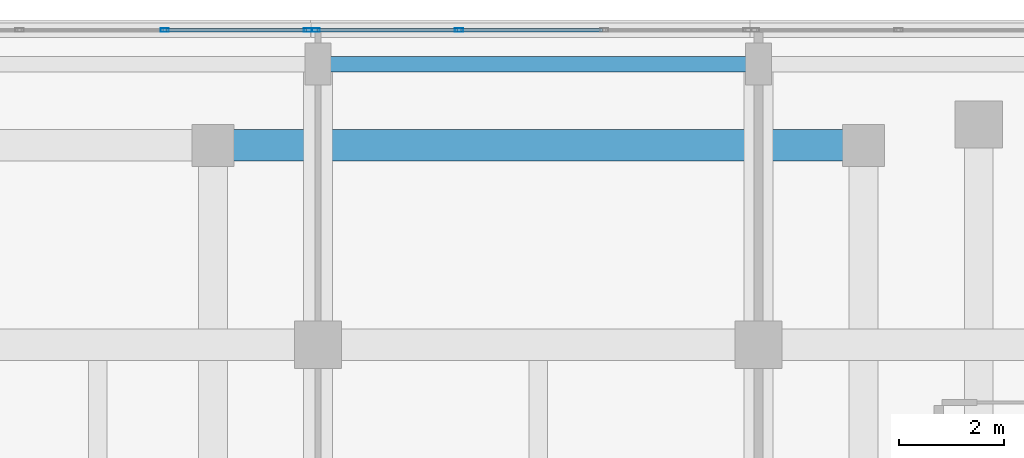
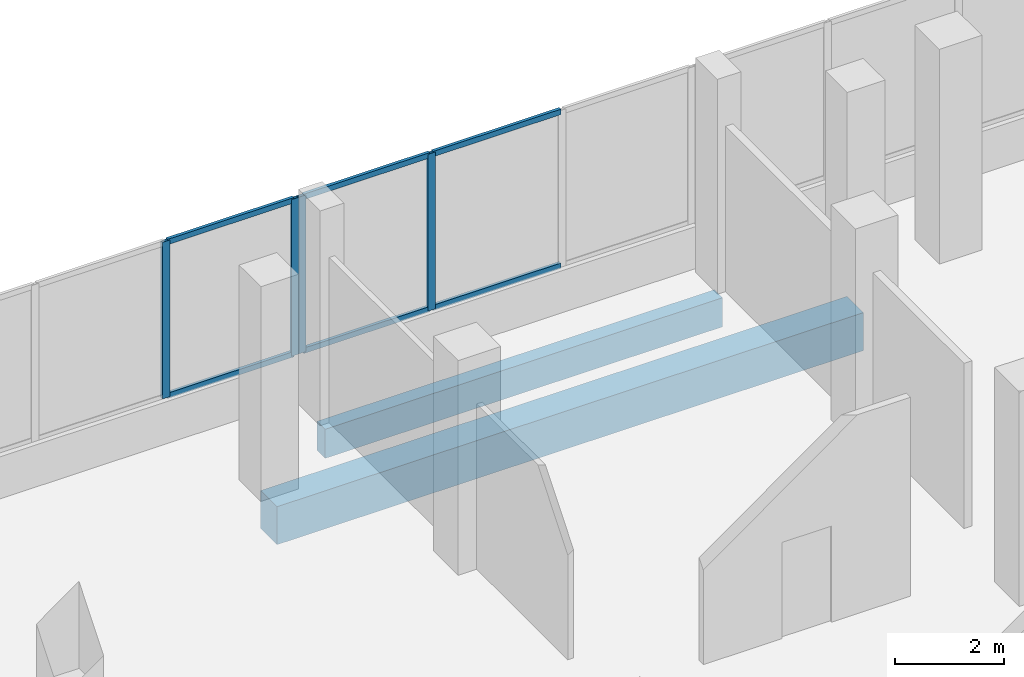
# One storey, part 92 of 168: 10 members, 2 beams, 2 elements without a shape of their own.
"""IFC4 building model written with IfcOpenShell, lengths in metres."""

import ifcopenshell
import ifcopenshell.guid

model = None  # the IFC model being written
_history = None  # IfcOwnerHistory: only IFC2X3 demands one
_inside = {}  # id of a spatial element -> (the spatial element, [elements in it])
_under = {}  # id of a project, library or spatial element -> (it, [spatial elements below it])
_declared = {}  # id of a project -> (the project, [libraries it declares])
_typed = {}  # id of a type object -> (the type object, [elements of that type])
_made_of = {}  # id of a material, layer set ... -> (it, [elements and type objects made of it])


def new_model(schema):
    """Start an empty IFC model of exactly this schema.

    Asked for "IFC4X3", IfcOpenShell would pick the latest addendum, in which some entities
    have other attributes; the version numbers below select the first issue.
    IFC2X3 requires an IfcOwnerHistory on every rooted entity: one is made here for all.
    """
    global model, _history
    if schema == "IFC4X3":
        model = ifcopenshell.file(schema_version=(4, 3, 0, 0))
    else:
        model = ifcopenshell.file(schema=schema)
    _inside.clear()
    _under.clear()
    _declared.clear()
    _typed.clear()
    _made_of.clear()
    _history = None
    if model.schema == "IFC2X3":
        org = make("IfcOrganization", Name="unknown")
        user = make(
            "IfcPersonAndOrganization",
            ThePerson=make("IfcPerson", FamilyName="unknown"),
            TheOrganization=org,
        )
        app = make(
            "IfcApplication",
            ApplicationDeveloper=org,
            Version="unknown",
            ApplicationFullName="unknown",
            ApplicationIdentifier="unknown",
        )
        _history = make(
            "IfcOwnerHistory",
            OwningUser=user,
            OwningApplication=app,
            ChangeAction="ADDED",
            CreationDate=0,
        )
    return model


def make(cls, **values):
    """One entity of the class cls with the attributes given. An attribute that is None is left unset."""
    return model.create_entity(
        cls, **{name: value for name, value in values.items() if value is not None}
    )


def rooted(cls, **values):
    """An entity with a GlobalId (a new one), such as an element, a storey or a relation."""
    return make(cls, GlobalId=ifcopenshell.guid.new(), OwnerHistory=_history, **values)


def si_unit(unit_type, name, prefix=None):
    """IfcSIUnit, for example si_unit("LENGTHUNIT", "METRE", prefix="MILLI")."""
    return make("IfcSIUnit", UnitType=unit_type, Prefix=prefix, Name=name)


def assignment(units):
    """IfcUnitAssignment: the units of a project."""
    return None if units is None else make("IfcUnitAssignment", Units=units)


def point(xyz):
    """IfcCartesianPoint."""
    return None if xyz is None else make("IfcCartesianPoint", Coordinates=xyz)


def direction(xyz):
    """IfcDirection."""
    return None if xyz is None else make("IfcDirection", DirectionRatios=xyz)


def frame(location, z_axis=None, x_axis=None):
    """IfcAxis2Placement3D, a coordinate frame: its origin and axes. An axis left out is left unset."""
    return make(
        "IfcAxis2Placement3D",
        Location=point(location),
        Axis=direction(z_axis),
        RefDirection=direction(x_axis),
    )


def frame_2d(location, x_axis=None):
    """IfcAxis2Placement2D, a coordinate frame in the plane: its origin and x axis."""
    return make(
        "IfcAxis2Placement2D", Location=point(location), RefDirection=direction(x_axis)
    )


def origin():
    """The frame at (0, 0, 0) with its axes left unset."""
    return frame((0.0, 0.0, 0.0))


def origin_2d():
    """The frame at (0, 0) in the plane with its x axis left unset."""
    return frame_2d((0.0, 0.0))


def place(relative_to, where):
    """IfcLocalPlacement: puts the frame where relative to a parent placement (None: the world)."""
    return make(
        "IfcLocalPlacement", PlacementRelTo=relative_to, RelativePlacement=where
    )


def context(
    kind, dimensions, precision=None, world=None, true_north=None, identifier=None
):
    """IfcGeometricRepresentationContext, for example the 3D "Model" context."""
    return make(
        "IfcGeometricRepresentationContext",
        ContextIdentifier=identifier,
        ContextType=kind,
        CoordinateSpaceDimension=dimensions,
        Precision=precision,
        WorldCoordinateSystem=world,
        TrueNorth=true_north,
    )


def subcontext(parent, identifier, kind, view, scale=None):
    """IfcGeometricRepresentationSubContext, for example "Body" below "Model"."""
    return make(
        "IfcGeometricRepresentationSubContext",
        ContextIdentifier=identifier,
        ContextType=kind,
        ParentContext=parent,
        TargetScale=scale,
        TargetView=view,
    )


def project(units=None, contexts=None):
    """IfcProject with its units and contexts."""
    return rooted(
        "IfcProject",
        Name="project",
        RepresentationContexts=contexts,
        UnitsInContext=assignment(units),
    )


def spatial(cls, under=None, at=None, **own):
    """A site, building, storey or space (cls), placed at a placement, below another one or the project."""
    s = rooted(cls, ObjectPlacement=at, **own)
    if under is not None:
        _under.setdefault(under.id(), (under, []))[1].append(s)
    return s


def profile(cls, at=None, kind="AREA", **sizes):
    """A parametric profile (cls). Its sizes go by their IFC names, for example OverallWidth=200.0."""
    return make(cls, ProfileType=kind, Position=at, **sizes)


def rectangle(**sizes):
    """IfcRectangleProfileDef."""
    return profile("IfcRectangleProfileDef", **sizes)


def hollow_rectangle(**sizes):
    """IfcRectangleHollowProfileDef."""
    return profile("IfcRectangleHollowProfileDef", **sizes)


def extrude(swept, where, along, depth):
    """IfcExtrudedAreaSolid: the profile swept, set in the frame where, extruded along a direction by depth."""
    return make(
        "IfcExtrudedAreaSolid",
        SweptArea=swept,
        Position=where,
        ExtrudedDirection=direction(along),
        Depth=depth,
    )


def shape(context_of_items, identifier, shape_type, items):
    """IfcShapeRepresentation: the items that make up one representation, for example the "Body"."""
    return make(
        "IfcShapeRepresentation",
        ContextOfItems=context_of_items,
        RepresentationIdentifier=identifier,
        RepresentationType=shape_type,
        Items=items,
    )


def material(Name=None, Category=None):
    """IfcMaterial."""
    return make("IfcMaterial", Name=Name, Category=Category)


def material_profile(
    of_material, cross_section, Name=None, Category=None, Priority=None
):
    """IfcMaterialProfile: a cross section and its material."""
    return make(
        "IfcMaterialProfile",
        Name=Name,
        Material=of_material,
        Profile=cross_section,
        Priority=Priority,
        Category=Category,
    )


def profile_set(profiles, Name=None, composite=None):
    """IfcMaterialProfileSet."""
    return make(
        "IfcMaterialProfileSet",
        Name=Name,
        MaterialProfiles=profiles,
        CompositeProfile=composite,
    )


def made_of(thing, what):
    """Note that an element or type object is made of a material, layer set ...; save() writes the relation."""
    if what is not None:
        _made_of.setdefault(what.id(), (what, []))[1].append(thing)
    return thing


def type_object(cls, material=None, **own):
    """A type object (cls), such as IfcWallType, which elements share."""
    return made_of(rooted(cls, **own), material)


def element(
    cls,
    number,
    at=None,
    inside=None,
    cuts=None,
    type_object=None,
    material=None,
    context=None,
    identifier="Body",
    shape_type=None,
    held_by="IfcProductDefinitionShape",
    body=None,
    shapes=None,
    **own,
):
    """One element of the class cls, such as IfcWall. Its Tag is "e" and its number.

    at: its placement. inside: the storey or other place that contains it. cuts: it is an
    opening in that element (IfcRelVoidsElement). A single representation is given by context,
    identifier, shape_type and body (its items); several are given by shapes. held_by: the class
    of the entity that holds the representations. save() writes the other relations.
    """
    e = rooted(cls, Tag="e%d" % number, ObjectPlacement=at, **own)
    if body is not None:
        shapes = [shape(context, identifier, shape_type, body)]
    if shapes is not None:
        e.Representation = make(held_by, Representations=shapes)
    if inside is not None:
        _inside.setdefault(inside.id(), (inside, []))[1].append(e)
    if cuts is not None:
        rooted(
            "IfcRelVoidsElement", RelatingBuildingElement=cuts, RelatedOpeningElement=e
        )
    if type_object is not None:
        _typed.setdefault(type_object.id(), (type_object, []))[1].append(e)
    return made_of(e, material)


def aggregate(whole, parts):
    """IfcRelAggregates: a whole, such as a stair, and the parts it consists of."""
    return rooted("IfcRelAggregates", RelatingObject=whole, RelatedObjects=parts)


def save(model, path):
    """Write the relations noted so far, then the file.

    IfcRelAggregates (storeys below a building ...), IfcRelContainedInSpatialStructure (elements
    in a storey), IfcRelDefinesByType, IfcRelAssociatesMaterial and IfcRelDeclares: one each for
    every whole, place, type object, material and project.
    """
    for whole, parts in _under.values():
        aggregate(whole, parts)
    for where, things in _inside.values():
        rooted(
            "IfcRelContainedInSpatialStructure",
            RelatedElements=things,
            RelatingStructure=where,
        )
    for kind, things in _typed.values():
        rooted("IfcRelDefinesByType", RelatedObjects=things, RelatingType=kind)
    for what, things in _made_of.values():
        rooted("IfcRelAssociatesMaterial", RelatedObjects=things, RelatingMaterial=what)
    for by, libraries in _declared.values():
        rooted("IfcRelDeclares", RelatingContext=by, RelatedDefinitions=libraries)
    model.write(path)


model = new_model("IFC4")

# Units and contexts
model_context = context("Model", 3, precision=1e-05, world=origin(), true_north=direction((0.0, 1.0)))
body_context = subcontext(model_context, "Body", "Model", "MODEL_VIEW")
ifc_project = project(units=[si_unit("LENGTHUNIT", "METRE"), si_unit("AREAUNIT", "SQUARE_METRE"), si_unit("VOLUMEUNIT", "CUBIC_METRE"), si_unit("PLANEANGLEUNIT", "RADIAN"), si_unit("MASSUNIT", "GRAM", prefix="KILO")], contexts=[model_context])

# Site, building, storey
site_placement = place(None, origin())
site = spatial("IfcSite", under=ifc_project, at=site_placement, CompositionType="ELEMENT")
building_placement = place(site_placement, origin())
building = spatial("IfcBuilding", under=site, at=building_placement, Name="Selatvlak General Hospital", CompositionType="ELEMENT")
storey_placement = place(building_placement, frame((0.0, 0.0, 5.39990234375)))
storey = spatial("IfcBuildingStorey", under=building, at=storey_placement, Name="L01", CompositionType="ELEMENT", Elevation=5.39990234375)

# Beams
ifc_material_1 = material(Name="Concrete C40/50", Category="concrete")
ifc_material_profile_1 = material_profile(ifc_material_1, rectangle(XDim=0.60009765625, YDim=0.85009765625, at=origin_2d()), Name="RC-BM 600x850")
ifc_profile_set_1 = profile_set([ifc_material_profile_1], Name="Concrete C40/50")
beam_type_1 = type_object("IfcBeamType", Name="BM-G01", PredefinedType="BEAM", material=ifc_profile_set_1)
beam_1_placement = place(storey_placement, frame((71.199951171875, 117.800048828125, -0.744873046875), z_axis=(1.0, 0.0, 0.0), x_axis=(0.0, 1.0, 0.0)))
element("IfcBeam", 1, at=beam_1_placement, inside=storey, type_object=beam_type_1, Name="Beam BMR-L01-0525", PredefinedType="BEAM", context=body_context, shape_type="SweptSolid", body=[
    extrude(rectangle(XDim=0.60009765625, YDim=0.85009765625, at=origin_2d()), origin(), (0.0, 0.0, 1.0), 12.400146484375),
])
ifc_material_profile_2 = material_profile(ifc_material_1, rectangle(XDim=0.300048828125, YDim=0.64990234375, at=origin_2d()), Name="RC-SP 300x650")
ifc_profile_set_2 = profile_set([ifc_material_profile_2], Name="Concrete C40/50")
beam_type_2 = type_object("IfcBeamType", Name="BM-SP1", PredefinedType="SPANDREL", material=ifc_profile_set_2)
beam_2_placement = place(storey_placement, frame((73.199951171875, 119.35009765625, -0.64501953125), z_axis=(1.0, 0.0, 0.0), x_axis=(0.0, 1.0, 0.0)))
element("IfcBeam", 2, at=beam_2_placement, inside=storey, type_object=beam_type_2, Name="Beam BMR-L01-0529", PredefinedType="SPANDREL", context=body_context, shape_type="SweptSolid", body=[
    extrude(rectangle(XDim=0.300048828125, YDim=0.64990234375, at=origin_2d()), origin(), (0.0, 0.0, 1.0), 8.400146484375),
])

# Curtain wall, members
ifc_material_2 = material(Name="Solar-control Low-E double glazing", Category="glass")
curtain_wall_type_1 = type_object("IfcCurtainWallType", Name="CW-CW-01", PredefinedType="USERDEFINED", material=ifc_material_2)
curtain_wall_1_placement = place(storey_placement, origin())
curtain_wall_1 = element("IfcCurtainWall", 3, at=curtain_wall_1_placement, inside=storey, type_object=curtain_wall_type_1, Name="Glazed facade curtain wall CW-L01-0118", ObjectType="UNITISED CURTAIN WALL", PredefinedType="USERDEFINED")
ifc_material_3 = material(Name="Dark anodised aluminium mullion", Category="aluminium")
ifc_material_profile_3 = material_profile(ifc_material_3, hollow_rectangle(XDim=0.06494140625, YDim=0.159912109375, WallThickness=0.00390625, at=origin_2d()), Name="AL-MUL 65x160x4")
ifc_profile_set_3 = profile_set([ifc_material_profile_3], Name="Dark anodised aluminium mullion")
member_type_1 = type_object("IfcMemberType", Name="CWM-01", PredefinedType="MULLION", material=ifc_profile_set_3)
member_1_placement = place(storey_placement, frame((70.2783203125, 119.9990234375, 0.940185546875), z_axis=(0.0, 0.0, 1.0), x_axis=(0.0, 1.0, 0.0)))
member_1 = element("IfcMember", 4, at=member_1_placement, type_object=member_type_1, Name="CW-01 mullion 3", PredefinedType="MULLION", context=body_context, shape_type="SweptSolid", body=[
    extrude(hollow_rectangle(XDim=0.06494140625, YDim=0.159912109375, WallThickness=0.00390625, at=origin_2d()), origin(), (0.0, 0.0, 1.0), 3.5048828125),
])
member_2_placement = place(storey_placement, frame((73.012451171875, 119.9990234375, 0.940185546875), z_axis=(0.0, 0.0, 1.0), x_axis=(0.0, 1.0, 0.0)))
member_2 = element("IfcMember", 5, at=member_2_placement, type_object=member_type_1, Name="CW-01 mullion 4", PredefinedType="MULLION", context=body_context, shape_type="SweptSolid", body=[
    extrude(hollow_rectangle(XDim=0.06494140625, YDim=0.159912109375, WallThickness=0.00390625, at=origin_2d()), origin(), (0.0, 0.0, 1.0), 3.5048828125),
])

curtain_wall_type_2 = type_object("IfcCurtainWallType", Name="CW-CW-02", PredefinedType="USERDEFINED", material=ifc_material_2)
curtain_wall_2_placement = place(storey_placement, origin())
curtain_wall_2 = element("IfcCurtainWall", 6, at=curtain_wall_2_placement, inside=storey, type_object=curtain_wall_type_2, Name="Glazed facade curtain wall CW-L01-0119", ObjectType="UNITISED CURTAIN WALL", PredefinedType="USERDEFINED")
member_3_placement = place(storey_placement, frame((73.157470703125, 119.9990234375, 0.940185546875), z_axis=(0.0, 0.0, 1.0), x_axis=(0.0, 1.0, 0.0)))
member_3 = element("IfcMember", 7, at=member_3_placement, type_object=member_type_1, Name="CW-02 mullion 1", PredefinedType="MULLION", context=body_context, shape_type="SweptSolid", body=[
    extrude(hollow_rectangle(XDim=0.06494140625, YDim=0.159912109375, WallThickness=0.00390625, at=origin_2d()), origin(), (0.0, 0.0, 1.0), 3.5048828125),
])
member_4_placement = place(storey_placement, frame((75.8916015625, 119.9990234375, 0.940185546875), z_axis=(0.0, 0.0, 1.0), x_axis=(0.0, 1.0, 0.0)))
member_4 = element("IfcMember", 8, at=member_4_placement, type_object=member_type_1, Name="CW-02 mullion 2", PredefinedType="MULLION", context=body_context, shape_type="SweptSolid", body=[
    extrude(hollow_rectangle(XDim=0.06494140625, YDim=0.159912109375, WallThickness=0.00390625, at=origin_2d()), origin(), (0.0, 0.0, 1.0), 3.5048828125),
])

# Member
ifc_material_profile_4 = material_profile(ifc_material_3, hollow_rectangle(XDim=0.06494140625, YDim=0.1201171875, WallThickness=0.00390625, at=origin_2d()), Name="AL-TRN 65x120x4")
ifc_profile_set_4 = profile_set([ifc_material_profile_4], Name="Dark anodised aluminium mullion")
member_type_2 = type_object("IfcMemberType", Name="CWT-01", PredefinedType="USERDEFINED", material=ifc_profile_set_4)
member_5_placement = place(storey_placement, frame((70.310791015625, 119.9990234375, 0.97265625), z_axis=(1.0, 0.0, 0.0), x_axis=(0.0, 1.0, 0.0)))
member_5 = element("IfcMember", 9, at=member_5_placement, type_object=member_type_2, Name="CW-01 transom 3.1", ObjectType="TRANSOM", PredefinedType="USERDEFINED", context=body_context, shape_type="SweptSolid", body=[
    extrude(hollow_rectangle(XDim=0.06494140625, YDim=0.1201171875, WallThickness=0.00390625, at=origin_2d()), origin(), (0.0, 0.0, 1.0), 2.669189453125),
])

member_6_placement = place(storey_placement, frame((70.310791015625, 119.9990234375, 4.41259765625), z_axis=(1.0, 0.0, 0.0), x_axis=(0.0, 1.0, 0.0)))
member_6 = element("IfcMember", 10, at=member_6_placement, type_object=member_type_2, Name="CW-01 transom 3.2", ObjectType="TRANSOM", PredefinedType="USERDEFINED", context=body_context, shape_type="SweptSolid", body=[
    extrude(hollow_rectangle(XDim=0.06494140625, YDim=0.1201171875, WallThickness=0.00390625, at=origin_2d()), origin(), (0.0, 0.0, 1.0), 2.669189453125),
])

aggregate(curtain_wall_1, [member_1, member_2, member_5, member_6])

member_7_placement = place(storey_placement, frame((73.18994140625, 119.9990234375, 0.97265625), z_axis=(1.0, 0.0, 0.0), x_axis=(0.0, 1.0, 0.0)))
member_7 = element("IfcMember", 11, at=member_7_placement, type_object=member_type_2, Name="CW-02 transom 1.1", ObjectType="TRANSOM", PredefinedType="USERDEFINED", context=body_context, shape_type="SweptSolid", body=[
    extrude(hollow_rectangle(XDim=0.06494140625, YDim=0.1201171875, WallThickness=0.00390625, at=origin_2d()), origin(), (0.0, 0.0, 1.0), 2.669189453125),
])

member_8_placement = place(storey_placement, frame((73.18994140625, 119.9990234375, 4.41259765625), z_axis=(1.0, 0.0, 0.0), x_axis=(0.0, 1.0, 0.0)))
member_8 = element("IfcMember", 12, at=member_8_placement, type_object=member_type_2, Name="CW-02 transom 1.2", ObjectType="TRANSOM", PredefinedType="USERDEFINED", context=body_context, shape_type="SweptSolid", body=[
    extrude(hollow_rectangle(XDim=0.06494140625, YDim=0.1201171875, WallThickness=0.00390625, at=origin_2d()), origin(), (0.0, 0.0, 1.0), 2.669189453125),
])

member_9_placement = place(storey_placement, frame((75.924072265625, 119.9990234375, 0.97265625), z_axis=(1.0, 0.0, 0.0), x_axis=(0.0, 1.0, 0.0)))
member_9 = element("IfcMember", 13, at=member_9_placement, type_object=member_type_2, Name="CW-02 transom 2.1", ObjectType="TRANSOM", PredefinedType="USERDEFINED", context=body_context, shape_type="SweptSolid", body=[
    extrude(hollow_rectangle(XDim=0.06494140625, YDim=0.1201171875, WallThickness=0.00390625, at=origin_2d()), origin(), (0.0, 0.0, 1.0), 2.70166015625),
])

member_10_placement = place(storey_placement, frame((75.924072265625, 119.9990234375, 4.41259765625), z_axis=(1.0, 0.0, 0.0), x_axis=(0.0, 1.0, 0.0)))
member_10 = element("IfcMember", 14, at=member_10_placement, type_object=member_type_2, Name="CW-02 transom 2.2", ObjectType="TRANSOM", PredefinedType="USERDEFINED", context=body_context, shape_type="SweptSolid", body=[
    extrude(hollow_rectangle(XDim=0.06494140625, YDim=0.1201171875, WallThickness=0.00390625, at=origin_2d()), origin(), (0.0, 0.0, 1.0), 2.70166015625),
])

aggregate(curtain_wall_2, [member_3, member_4, member_7, member_8, member_9, member_10])

save(model, "model.ifc")
